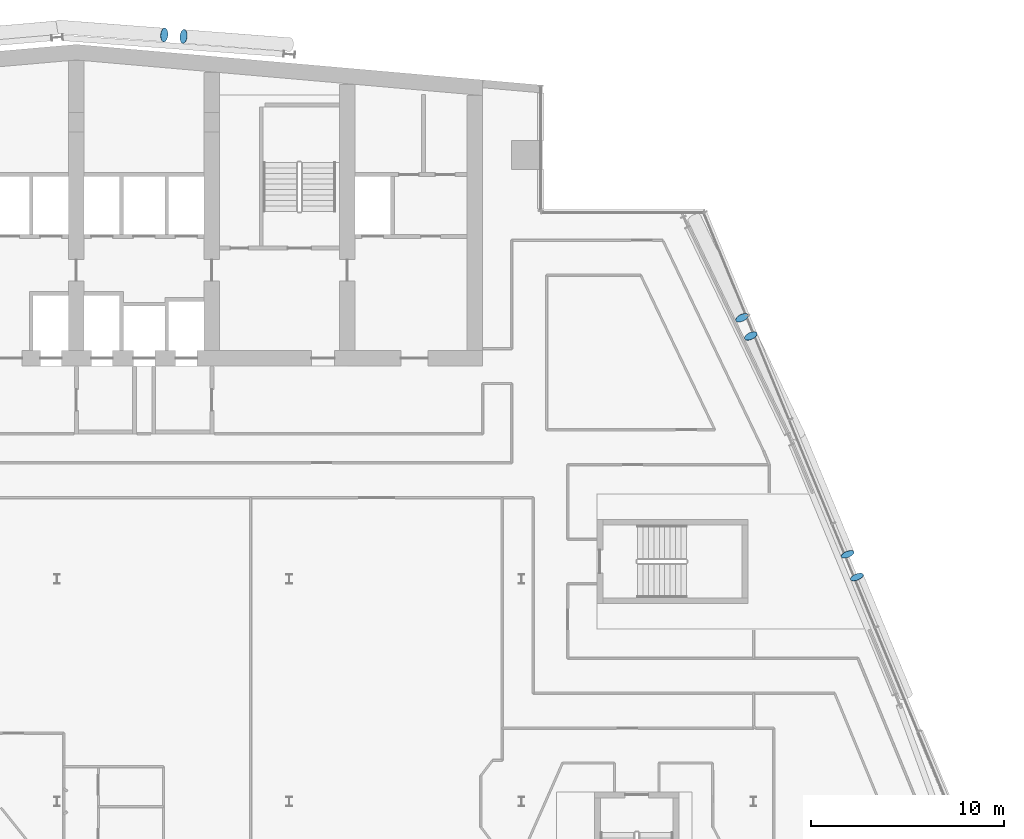
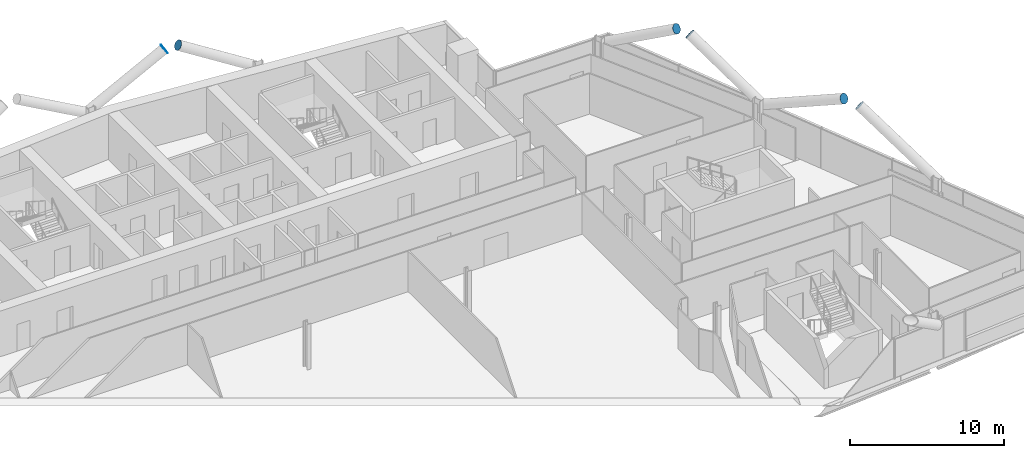
# One storey, part 24 of 27: 6 discrete accessories.
"""IFC4 building model written with IfcOpenShell, lengths in metres."""

from ifc_helpers import new_model, si_unit, direction, frame, origin, origin_2d, place, context, subcontext, project, spatial, circle, extrude, material, material_profile, profile_set, type_object, element, save


model = new_model("IFC4")

# Units and contexts
model_context = context("Model", 3, precision=1e-05, world=origin(), true_north=direction((0.0, 1.0)))
body_context = subcontext(model_context, "Body", "Model", "MODEL_VIEW")
ifc_project = project(units=[si_unit("LENGTHUNIT", "METRE"), si_unit("AREAUNIT", "SQUARE_METRE"), si_unit("VOLUMEUNIT", "CUBIC_METRE"), si_unit("PLANEANGLEUNIT", "RADIAN"), si_unit("MASSUNIT", "GRAM", prefix="KILO")], contexts=[model_context])

# Site, building, storey
site_placement = place(None, origin())
site = spatial("IfcSite", under=ifc_project, at=site_placement, CompositionType="ELEMENT")
building_placement = place(site_placement, origin())
building = spatial("IfcBuilding", under=site, at=building_placement, Name="Wharfspan Tower", CompositionType="ELEMENT")
storey_placement = place(building_placement, frame((0.0, 0.0, 191.5)))
storey = spatial("IfcBuildingStorey", under=building, at=storey_placement, Name="L47", CompositionType="ELEMENT", Elevation=191.5)

# Discrete accessories
ifc_material = material(Name="Steel S460NH", Category="steel")
ifc_material_profile = material_profile(ifc_material, circle(Radius=0.355469, at=origin_2d()))
ifc_profile_set = profile_set([ifc_material_profile], Name="Steel S460NH")
discrete_accessory_type = type_object("IfcDiscreteAccessoryType", Name="End plate CHS 711x36", PredefinedType="BRACKET", material=ifc_profile_set)
for number, where, z_axis, x_axis, name in (
    (1, (77.343018, 23.091309, 6.18335), (-0.341972, 0.830504, 0.439679), (-0.924678, -0.380749, -1e-06), "End plate CHS 711x36"),
    (2, (76.854248, 24.275146, 6.18335), (0.341972, -0.830504, 0.439679), (0.924678, 0.380749, -1e-06), "End plate CHS 711x36"),
    (3, (71.858154, 35.550537, 6.194336), (-0.369386, 0.788024, 0.492515), (-0.905459, -0.424433, -1e-06), "End plate CHS 711x36"),
    (4, (71.401123, 36.504395, 6.194336), (0.369386, -0.788024, 0.492515), (0.905459, 0.424433, -1e-06), "End plate CHS 711x36"),
    (5, (41.533447, 51.114502, 6.197021), (0.855186, -0.073302, 0.513112), (0.085402, 0.996345, -1e-06), "End plate CHS 711x36"),
    (6, (42.543213, 51.037354, 6.197021), (-0.855186, 0.073302, 0.513112), (-0.085402, -0.996345, -1e-06), "End plate CHS 711x36"),
):
    element("IfcDiscreteAccessory", number, at=place(storey_placement, frame(where, z_axis=z_axis, x_axis=x_axis)), inside=storey, type_object=discrete_accessory_type, Name=name, PredefinedType="BRACKET", context=body_context, shape_type="SweptSolid", body=[
        extrude(circle(Radius=0.355469, at=origin_2d()), origin(), (0.0, 0.0, 1.0), 0.01001),
    ])

save(model, "model.ifc")
